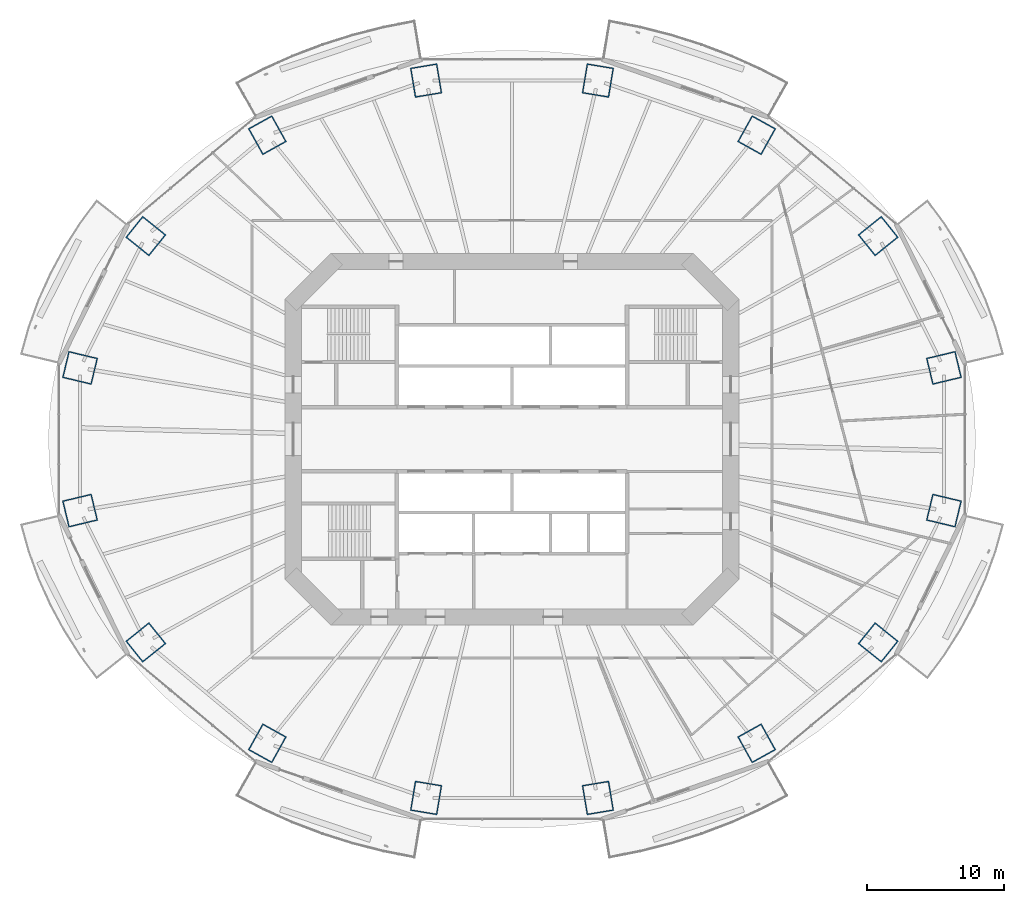
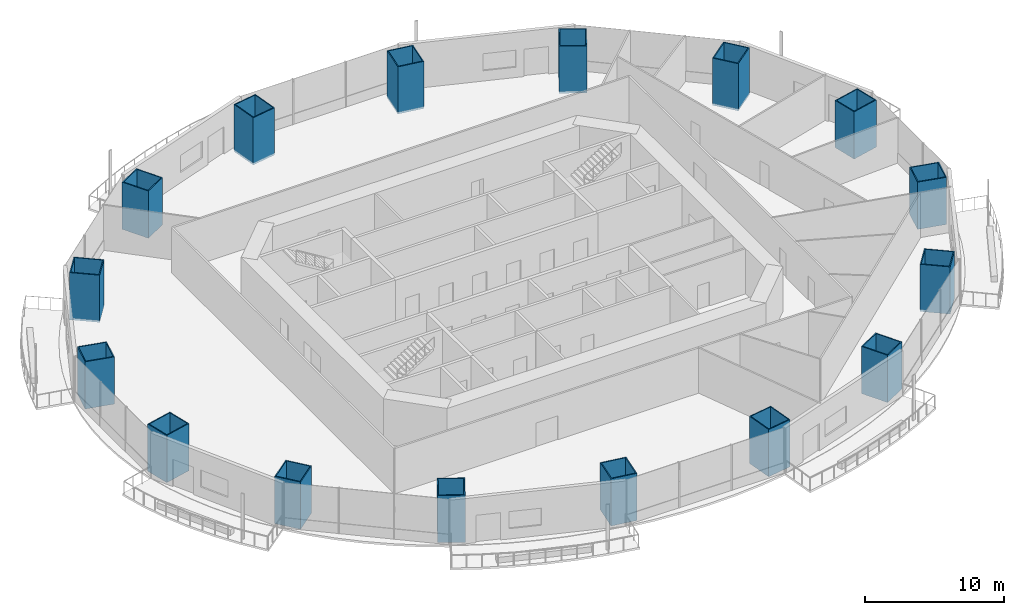
# One storey, part 1 of 21: 16 columns.
"""IFC4 building model written with IfcOpenShell, lengths in metres."""

from ifc_helpers import new_model, si_unit, direction, frame, origin, origin_2d, place, context, subcontext, project, spatial, rectangle, hollow_rectangle, extrude, material, material_profile, profile_set, type_object, element, save


model = new_model("IFC4")

# Units and contexts
model_context = context("Model", 3, precision=1e-05, world=origin(), true_north=direction((0.0, 1.0)))
body_context = subcontext(model_context, "Body", "Model", "MODEL_VIEW")
ifc_project = project(units=[si_unit("LENGTHUNIT", "METRE"), si_unit("AREAUNIT", "SQUARE_METRE"), si_unit("VOLUMEUNIT", "CUBIC_METRE"), si_unit("PLANEANGLEUNIT", "RADIAN"), si_unit("MASSUNIT", "GRAM", prefix="KILO")], contexts=[model_context])

# Site, building, storey
site_placement = place(None, origin())
site = spatial("IfcSite", under=ifc_project, at=site_placement, CompositionType="ELEMENT")
building_placement = place(site_placement, origin())
building = spatial("IfcBuilding", under=site, at=building_placement, Name="Marenthal Gate Tower", CompositionType="ELEMENT")
storey_placement = place(building_placement, frame((0.0, 0.0, 128.449951171875)))
storey = spatial("IfcBuildingStorey", under=building, at=storey_placement, Name="L27", CompositionType="ELEMENT", Elevation=128.449951171875)

# Columns
ifc_material_1 = material(Name="Steel S460", Category="steel")
ifc_material_profile_1 = material_profile(ifc_material_1, hollow_rectangle(XDim=2.0, YDim=2.199951171875, WallThickness=0.080078125, at=origin_2d()), Name="CFT BOX 2200X2000X80")
ifc_material_2 = material(Name="Concrete 70 MPa", Category="concrete")
ifc_material_profile_2 = material_profile(ifc_material_2, rectangle(XDim=1.840087890625, YDim=2.0400390625, at=origin_2d()), Name="CFT BOX 2200X2000X80 INFILL")
ifc_profile_set = profile_set([ifc_material_profile_1, ifc_material_profile_2], Name="Steel S460 shell, Concrete 70 MPa infill")
column_type = type_object("IfcColumnType", Name="CFT BOX 2200X2000X80", PredefinedType="COLUMN", material=ifc_profile_set)
for number, where, z_axis, x_axis, name in (
    (1, (31.585205078125, 5.217041015625, -0.179931640625), (0.0, 0.0, 1.0), (0.232949778707, -0.972488766311, 0.0), "COL-L27-01"),
    (2, (26.776611328125, 14.857177734375, -0.179931640625), (0.0, 0.0, 1.0), (0.626903009462, -0.779097308895, 0.0), "COL-L27-02"),
    (3, (17.8916015625, 22.235107421875, -0.179931640625), (0.0, 0.0, 1.0), (0.874418247414, -0.485172885257, 0.0), "COL-L27-03"),
    (4, (6.28271484375, 26.228271484375, -0.179931640625), (0.0, 0.0, 1.0), (0.986631388572, -0.162967797691, 0.0), "COL-L27-04"),
    (5, (-6.28271484375, 26.228271484375, -0.179931640625), (0.0, 0.0, 1.0), (0.986631388572, 0.162967797691, 0.0), "COL-L27-05"),
    (6, (-17.8916015625, 22.235107421875, -0.179931640625), (0.0, 0.0, 1.0), (0.874418247414, 0.485172885257, 0.0), "COL-L27-06"),
    (7, (-26.776611328125, 14.857177734375, -0.179931640625), (0.0, 0.0, 1.0), (0.626903009462, 0.779097308895, 0.0), "COL-L27-07"),
    (8, (-31.585205078125, 5.217041015625, -0.179931640625), (0.0, 0.0, 1.0), (0.232949778707, 0.972488766311, 0.0), "COL-L27-08"),
    (9, (-31.585205078125, -5.217041015625, -0.179931640625), (0.0, 0.0, 1.0), (-0.232949778707, 0.972488766311, 0.0), "COL-L27-09"),
    (10, (-26.776611328125, -14.857177734375, -0.179931640625), (0.0, 0.0, 1.0), (-0.626903009462, 0.779097308895, 0.0), "COL-L27-10"),
    (11, (-17.8916015625, -22.235107421875, -0.179931640625), (0.0, 0.0, 1.0), (-0.874418247414, 0.485172885257, 0.0), "COL-L27-11"),
    (12, (-6.28271484375, -26.228271484375, -0.179931640625), (0.0, 0.0, 1.0), (-0.986631388572, 0.162967797691, 0.0), "COL-L27-12"),
    (13, (6.28271484375, -26.228271484375, -0.179931640625), (0.0, 0.0, 1.0), (-0.986631388572, -0.162967797691, 0.0), "COL-L27-13"),
    (14, (17.8916015625, -22.235107421875, -0.179931640625), (0.0, 0.0, 1.0), (-0.874418247414, -0.485172885257, 0.0), "COL-L27-14"),
    (15, (26.776611328125, -14.857177734375, -0.179931640625), (0.0, 0.0, 1.0), (-0.626903009462, -0.779097308895, 0.0), "COL-L27-15"),
    (16, (31.585205078125, -5.217041015625, -0.179931640625), (0.0, 0.0, 1.0), (-0.232949778707, -0.972488766311, 0.0), "COL-L27-16"),
):
    element("IfcColumn", number, at=place(storey_placement, frame(where, z_axis=z_axis, x_axis=x_axis)), inside=storey, type_object=column_type, Name=name, PredefinedType="COLUMN", context=body_context, shape_type="SweptSolid", body=[
        extrude(hollow_rectangle(XDim=2.0, YDim=2.199951171875, WallThickness=0.080078125, at=origin_2d()), origin(), (0.0, 0.0, 1.0), 4.14990234375),
    ])

save(model, "model.ifc")
